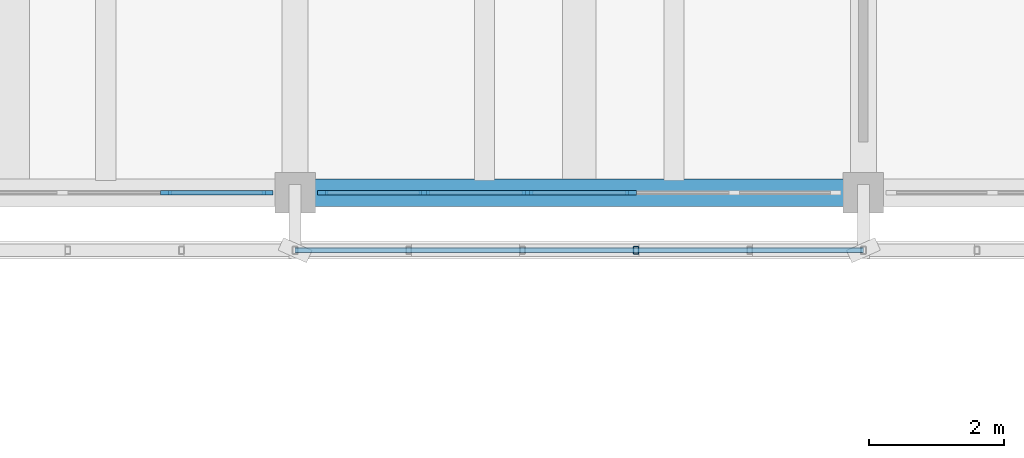
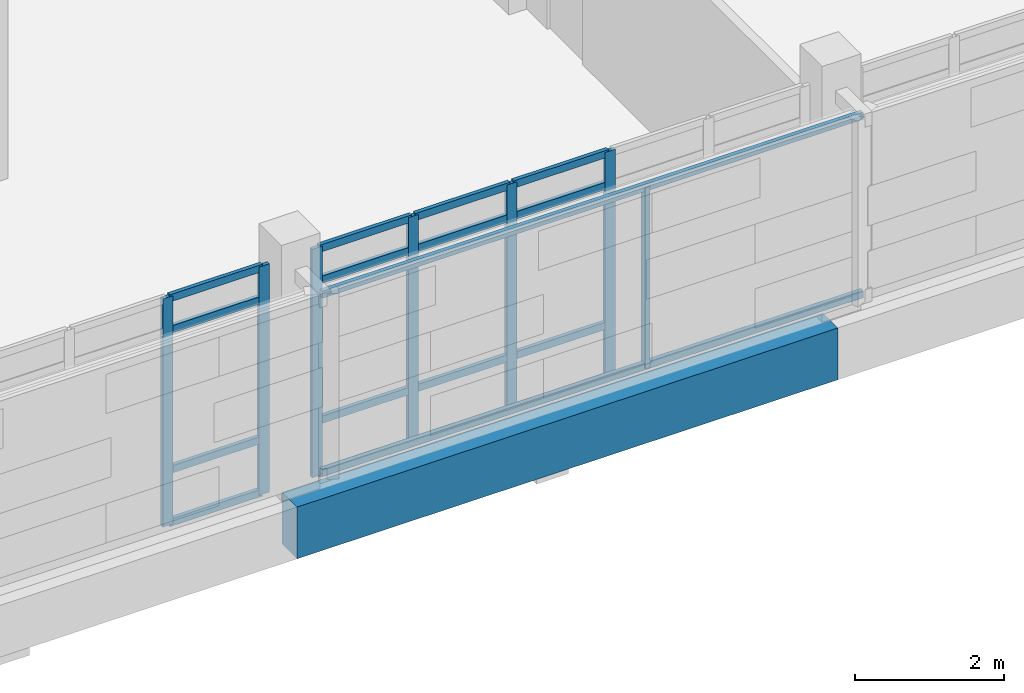
# One storey, part 44 of 137: 25 members, 1 beam, 2 elements without a shape of their own.
"""IFC4 building model written with IfcOpenShell, lengths in metres."""

from ifc_helpers import new_model, si_unit, direction, frame, origin, origin_2d, place, context, subcontext, project, spatial, rectangle, hollow_rectangle, extrude, material, material_profile, profile_set, type_object, element, aggregate, save


model = new_model("IFC4")

# Units and contexts
model_context = context("Model", 3, precision=1e-05, world=origin(), true_north=direction((0.0, 1.0)))
body_context = subcontext(model_context, "Body", "Model", "MODEL_VIEW")
ifc_project = project(units=[si_unit("LENGTHUNIT", "METRE"), si_unit("AREAUNIT", "SQUARE_METRE"), si_unit("VOLUMEUNIT", "CUBIC_METRE"), si_unit("PLANEANGLEUNIT", "RADIAN"), si_unit("MASSUNIT", "GRAM", prefix="KILO")], contexts=[model_context])

# Site, building, storey
site_placement = place(None, origin())
site = spatial("IfcSite", under=ifc_project, at=site_placement, CompositionType="ELEMENT")
building_placement = place(site_placement, origin())
building = spatial("IfcBuilding", under=site, at=building_placement, Name="Cinderway Yard Community Centre", CompositionType="ELEMENT")
storey_placement = place(building_placement, frame((0.0, 0.0, 4.800048828125)))
storey = spatial("IfcBuildingStorey", under=building, at=storey_placement, Name="L01", CompositionType="ELEMENT", Elevation=4.800048828125)

# Curtain wall, members
ifc_material_1 = material(Name="Aluminium 6063-T6", Category="aluminium")
curtain_wall_type = type_object("IfcCurtainWallType", Name="ENV-CW-TYPE-26", PredefinedType="USERDEFINED", material=ifc_material_1)
curtain_wall_1_placement = place(storey_placement, origin())
curtain_wall_1 = element("IfcCurtainWall", 1, at=curtain_wall_1_placement, inside=storey, type_object=curtain_wall_type, Name="V4 Courtyard Curtain Wall ENV-CW-L01-ST-0122", ObjectType="GLAZED CURTAIN WALL", PredefinedType="USERDEFINED")
ifc_material_profile_1 = material_profile(ifc_material_1, rectangle(XDim=0.06005859375, YDim=0.159912109375, at=origin_2d()), Name="Aluminium 6063-T6")
ifc_profile_set_1 = profile_set([ifc_material_profile_1], Name="Aluminium 6063-T6")
member_type_1 = type_object("IfcMemberType", Name="ENV-CW-MULL-150", PredefinedType="MULLION", material=ifc_profile_set_1)
member_1_placement = place(storey_placement, frame((48.092041015625, 90.0, 0.0), z_axis=(0.0, 0.0, 1.0), x_axis=(0.0, 1.0, 0.0)))
member_1 = element("IfcMember", 2, at=member_1_placement, type_object=member_type_1, Name="CW-26 mullion 5", PredefinedType="MULLION", context=body_context, shape_type="SweptSolid", body=[
    extrude(rectangle(XDim=0.06005859375, YDim=0.159912109375, at=origin_2d()), origin(), (0.0, 0.0, 1.0), 3.75),
])
member_2_placement = place(storey_placement, frame((49.590087890625, 90.0, 0.0), z_axis=(0.0, 0.0, 1.0), x_axis=(0.0, 1.0, 0.0)))
member_2 = element("IfcMember", 3, at=member_2_placement, type_object=member_type_1, Name="CW-26 mullion 6", PredefinedType="MULLION", context=body_context, shape_type="SweptSolid", body=[
    extrude(rectangle(XDim=0.06005859375, YDim=0.159912109375, at=origin_2d()), origin(), (0.0, 0.0, 1.0), 3.75),
])

curtain_wall_2_placement = place(storey_placement, origin())
curtain_wall_2 = element("IfcCurtainWall", 4, at=curtain_wall_2_placement, inside=storey, type_object=curtain_wall_type, Name="V4 Courtyard Curtain Wall ENV-CW-L01-ST-0124", ObjectType="GLAZED CURTAIN WALL", PredefinedType="USERDEFINED")
member_3_placement = place(storey_placement, frame((50.409912109375, 90.0, 0.0), z_axis=(0.0, 0.0, 1.0), x_axis=(0.0, 1.0, 0.0)))
member_3 = element("IfcMember", 5, at=member_3_placement, type_object=member_type_1, Name="CW-26 mullion 1", PredefinedType="MULLION", context=body_context, shape_type="SweptSolid", body=[
    extrude(rectangle(XDim=0.06005859375, YDim=0.159912109375, at=origin_2d()), origin(), (0.0, 0.0, 1.0), 3.75),
])
member_4_placement = place(storey_placement, frame((51.907958984375, 90.0, 0.0), z_axis=(0.0, 0.0, 1.0), x_axis=(0.0, 1.0, 0.0)))
member_4 = element("IfcMember", 6, at=member_4_placement, type_object=member_type_1, Name="CW-26 mullion 2", PredefinedType="MULLION", context=body_context, shape_type="SweptSolid", body=[
    extrude(rectangle(XDim=0.06005859375, YDim=0.159912109375, at=origin_2d()), origin(), (0.0, 0.0, 1.0), 3.75),
])
member_5_placement = place(storey_placement, frame((53.43603515625, 90.0, 0.0), z_axis=(0.0, 0.0, 1.0), x_axis=(0.0, 1.0, 0.0)))
member_5 = element("IfcMember", 7, at=member_5_placement, type_object=member_type_1, Name="CW-26 mullion 3", PredefinedType="MULLION", context=body_context, shape_type="SweptSolid", body=[
    extrude(rectangle(XDim=0.06005859375, YDim=0.159912109375, at=origin_2d()), origin(), (0.0, 0.0, 1.0), 3.75),
])
member_6_placement = place(storey_placement, frame((54.964111328125, 90.0, 0.0), z_axis=(0.0, 0.0, 1.0), x_axis=(0.0, 1.0, 0.0)))
member_6 = element("IfcMember", 8, at=member_6_placement, type_object=member_type_1, Name="CW-26 mullion 4", PredefinedType="MULLION", context=body_context, shape_type="SweptSolid", body=[
    extrude(rectangle(XDim=0.06005859375, YDim=0.159912109375, at=origin_2d()), origin(), (0.0, 0.0, 1.0), 3.75),
])

# Member
ifc_material_profile_2 = material_profile(ifc_material_1, rectangle(XDim=0.06005859375, YDim=0.1201171875, at=origin_2d()), Name="Aluminium 6063-T6")
ifc_profile_set_2 = profile_set([ifc_material_profile_2], Name="Aluminium 6063-T6")
member_type_2 = type_object("IfcMemberType", Name="ENV-CW-TRAN-110", PredefinedType="USERDEFINED", material=ifc_profile_set_2)
member_7_placement = place(storey_placement, frame((48.1220703125, 90.0, 0.030029296875), z_axis=(1.0, 0.0, 0.0), x_axis=(0.0, 1.0, 0.0)))
member_7 = element("IfcMember", 9, at=member_7_placement, type_object=member_type_2, Name="CW-26 transom 5.1", ObjectType="TRANSOM", PredefinedType="USERDEFINED", context=body_context, shape_type="SweptSolid", body=[
    extrude(rectangle(XDim=0.06005859375, YDim=0.1201171875, at=origin_2d()), origin(), (0.0, 0.0, 1.0), 1.43798828125),
])

member_8_placement = place(storey_placement, frame((48.1220703125, 90.0, 0.89990234375), z_axis=(1.0, 0.0, 0.0), x_axis=(0.0, 1.0, 0.0)))
member_8 = element("IfcMember", 10, at=member_8_placement, type_object=member_type_2, Name="CW-26 transom 5.2", ObjectType="TRANSOM", PredefinedType="USERDEFINED", context=body_context, shape_type="SweptSolid", body=[
    extrude(rectangle(XDim=0.06005859375, YDim=0.1201171875, at=origin_2d()), origin(), (0.0, 0.0, 1.0), 1.43798828125),
])

member_9_placement = place(storey_placement, frame((48.1220703125, 90.0, 3.199951171875), z_axis=(1.0, 0.0, 0.0), x_axis=(0.0, 1.0, 0.0)))
member_9 = element("IfcMember", 11, at=member_9_placement, type_object=member_type_2, Name="CW-26 transom 5.3", ObjectType="TRANSOM", PredefinedType="USERDEFINED", context=body_context, shape_type="SweptSolid", body=[
    extrude(rectangle(XDim=0.06005859375, YDim=0.1201171875, at=origin_2d()), origin(), (0.0, 0.0, 1.0), 1.43798828125),
])

member_10_placement = place(storey_placement, frame((48.1220703125, 90.0, 3.719970703125), z_axis=(1.0, 0.0, 0.0), x_axis=(0.0, 1.0, 0.0)))
member_10 = element("IfcMember", 12, at=member_10_placement, type_object=member_type_2, Name="CW-26 transom 5.4", ObjectType="TRANSOM", PredefinedType="USERDEFINED", context=body_context, shape_type="SweptSolid", body=[
    extrude(rectangle(XDim=0.06005859375, YDim=0.1201171875, at=origin_2d()), origin(), (0.0, 0.0, 1.0), 1.43798828125),
])

aggregate(curtain_wall_1, [member_1, member_2, member_7, member_8, member_9, member_10])

member_11_placement = place(storey_placement, frame((50.43994140625, 90.0, 0.030029296875), z_axis=(1.0, 0.0, 0.0), x_axis=(0.0, 1.0, 0.0)))
member_11 = element("IfcMember", 13, at=member_11_placement, type_object=member_type_2, Name="CW-26 transom 1.1", ObjectType="TRANSOM", PredefinedType="USERDEFINED", context=body_context, shape_type="SweptSolid", body=[
    extrude(rectangle(XDim=0.06005859375, YDim=0.1201171875, at=origin_2d()), origin(), (0.0, 0.0, 1.0), 1.43798828125),
])

member_12_placement = place(storey_placement, frame((50.43994140625, 90.0, 0.89990234375), z_axis=(1.0, 0.0, 0.0), x_axis=(0.0, 1.0, 0.0)))
member_12 = element("IfcMember", 14, at=member_12_placement, type_object=member_type_2, Name="CW-26 transom 1.2", ObjectType="TRANSOM", PredefinedType="USERDEFINED", context=body_context, shape_type="SweptSolid", body=[
    extrude(rectangle(XDim=0.06005859375, YDim=0.1201171875, at=origin_2d()), origin(), (0.0, 0.0, 1.0), 1.43798828125),
])

member_13_placement = place(storey_placement, frame((50.43994140625, 90.0, 3.199951171875), z_axis=(1.0, 0.0, 0.0), x_axis=(0.0, 1.0, 0.0)))
member_13 = element("IfcMember", 15, at=member_13_placement, type_object=member_type_2, Name="CW-26 transom 1.3", ObjectType="TRANSOM", PredefinedType="USERDEFINED", context=body_context, shape_type="SweptSolid", body=[
    extrude(rectangle(XDim=0.06005859375, YDim=0.1201171875, at=origin_2d()), origin(), (0.0, 0.0, 1.0), 1.43798828125),
])

member_14_placement = place(storey_placement, frame((50.43994140625, 90.0, 3.719970703125), z_axis=(1.0, 0.0, 0.0), x_axis=(0.0, 1.0, 0.0)))
member_14 = element("IfcMember", 16, at=member_14_placement, type_object=member_type_2, Name="CW-26 transom 1.4", ObjectType="TRANSOM", PredefinedType="USERDEFINED", context=body_context, shape_type="SweptSolid", body=[
    extrude(rectangle(XDim=0.06005859375, YDim=0.1201171875, at=origin_2d()), origin(), (0.0, 0.0, 1.0), 1.43798828125),
])

member_15_placement = place(storey_placement, frame((51.93798828125, 90.0, 0.030029296875), z_axis=(1.0, 0.0, 0.0), x_axis=(0.0, 1.0, 0.0)))
member_15 = element("IfcMember", 17, at=member_15_placement, type_object=member_type_2, Name="CW-26 transom 2.1", ObjectType="TRANSOM", PredefinedType="USERDEFINED", context=body_context, shape_type="SweptSolid", body=[
    extrude(rectangle(XDim=0.06005859375, YDim=0.1201171875, at=origin_2d()), origin(), (0.0, 0.0, 1.0), 1.468017578125),
])

member_16_placement = place(storey_placement, frame((51.93798828125, 90.0, 0.89990234375), z_axis=(1.0, 0.0, 0.0), x_axis=(0.0, 1.0, 0.0)))
member_16 = element("IfcMember", 18, at=member_16_placement, type_object=member_type_2, Name="CW-26 transom 2.2", ObjectType="TRANSOM", PredefinedType="USERDEFINED", context=body_context, shape_type="SweptSolid", body=[
    extrude(rectangle(XDim=0.06005859375, YDim=0.1201171875, at=origin_2d()), origin(), (0.0, 0.0, 1.0), 1.468017578125),
])

member_17_placement = place(storey_placement, frame((51.93798828125, 90.0, 3.199951171875), z_axis=(1.0, 0.0, 0.0), x_axis=(0.0, 1.0, 0.0)))
member_17 = element("IfcMember", 19, at=member_17_placement, type_object=member_type_2, Name="CW-26 transom 2.3", ObjectType="TRANSOM", PredefinedType="USERDEFINED", context=body_context, shape_type="SweptSolid", body=[
    extrude(rectangle(XDim=0.06005859375, YDim=0.1201171875, at=origin_2d()), origin(), (0.0, 0.0, 1.0), 1.468017578125),
])

member_18_placement = place(storey_placement, frame((51.93798828125, 90.0, 3.719970703125), z_axis=(1.0, 0.0, 0.0), x_axis=(0.0, 1.0, 0.0)))
member_18 = element("IfcMember", 20, at=member_18_placement, type_object=member_type_2, Name="CW-26 transom 2.4", ObjectType="TRANSOM", PredefinedType="USERDEFINED", context=body_context, shape_type="SweptSolid", body=[
    extrude(rectangle(XDim=0.06005859375, YDim=0.1201171875, at=origin_2d()), origin(), (0.0, 0.0, 1.0), 1.468017578125),
])

member_19_placement = place(storey_placement, frame((53.466064453125, 90.0, 0.030029296875), z_axis=(1.0, 0.0, 0.0), x_axis=(0.0, 1.0, 0.0)))
member_19 = element("IfcMember", 21, at=member_19_placement, type_object=member_type_2, Name="CW-26 transom 3.1", ObjectType="TRANSOM", PredefinedType="USERDEFINED", context=body_context, shape_type="SweptSolid", body=[
    extrude(rectangle(XDim=0.06005859375, YDim=0.1201171875, at=origin_2d()), origin(), (0.0, 0.0, 1.0), 1.468017578125),
])

member_20_placement = place(storey_placement, frame((53.466064453125, 90.0, 0.89990234375), z_axis=(1.0, 0.0, 0.0), x_axis=(0.0, 1.0, 0.0)))
member_20 = element("IfcMember", 22, at=member_20_placement, type_object=member_type_2, Name="CW-26 transom 3.2", ObjectType="TRANSOM", PredefinedType="USERDEFINED", context=body_context, shape_type="SweptSolid", body=[
    extrude(rectangle(XDim=0.06005859375, YDim=0.1201171875, at=origin_2d()), origin(), (0.0, 0.0, 1.0), 1.468017578125),
])

member_21_placement = place(storey_placement, frame((53.466064453125, 90.0, 3.199951171875), z_axis=(1.0, 0.0, 0.0), x_axis=(0.0, 1.0, 0.0)))
member_21 = element("IfcMember", 23, at=member_21_placement, type_object=member_type_2, Name="CW-26 transom 3.3", ObjectType="TRANSOM", PredefinedType="USERDEFINED", context=body_context, shape_type="SweptSolid", body=[
    extrude(rectangle(XDim=0.06005859375, YDim=0.1201171875, at=origin_2d()), origin(), (0.0, 0.0, 1.0), 1.468017578125),
])

member_22_placement = place(storey_placement, frame((53.466064453125, 90.0, 3.719970703125), z_axis=(1.0, 0.0, 0.0), x_axis=(0.0, 1.0, 0.0)))
member_22 = element("IfcMember", 24, at=member_22_placement, type_object=member_type_2, Name="CW-26 transom 3.4", ObjectType="TRANSOM", PredefinedType="USERDEFINED", context=body_context, shape_type="SweptSolid", body=[
    extrude(rectangle(XDim=0.06005859375, YDim=0.1201171875, at=origin_2d()), origin(), (0.0, 0.0, 1.0), 1.468017578125),
])

aggregate(curtain_wall_2, [member_3, member_4, member_5, member_6, member_11, member_12, member_13, member_14, member_15, member_16, member_17, member_18, member_19, member_20, member_21, member_22])

# Members
ifc_material_2 = material(Name="Steel S355", Category="steel")
ifc_material_profile_3 = material_profile(ifc_material_2, hollow_rectangle(XDim=0.080078125, YDim=0.1201171875, WallThickness=0.00634765625, InnerFilletRadius=0.00634765625, OuterFilletRadius=0.0126953125, at=origin_2d()), Name="Steel S355")
ifc_profile_set_3 = profile_set([ifc_material_profile_3], Name="Steel S355")
member_type_3 = type_object("IfcMemberType", Name="ENV-MEM-SCREEN-RAIL-120", PredefinedType="STRINGER", material=ifc_profile_set_3)
for number, where, z_axis, x_axis, name in (
    (25, (50.0, 89.14990234375, 0.7099609375), (1.0, 0.0, 0.0), (0.0, 1.0, 0.0), "Screen support rail 0326-BOT"),
    (26, (50.0, 89.14990234375, 3.639892578125), (1.0, 0.0, 0.0), (0.0, 1.0, 0.0), "Screen support rail 0327-TOP"),
):
    element("IfcMember", number, at=place(storey_placement, frame(where, z_axis=z_axis, x_axis=x_axis)), inside=storey, type_object=member_type_3, Name=name, PredefinedType="STRINGER", context=body_context, shape_type="SweptSolid", body=[
        extrude(hollow_rectangle(XDim=0.080078125, YDim=0.1201171875, WallThickness=0.00634765625, InnerFilletRadius=0.00634765625, OuterFilletRadius=0.0126953125, at=origin_2d()), origin(), (0.0, 0.0, 1.0), 8.39990234375),
    ])
member_23_placement = place(storey_placement, frame((55.0400390625, 89.14990234375, 0.68994140625), z_axis=(0.0, 0.0, 1.0), x_axis=(1.0, 0.0, 0.0)))
element("IfcMember", 27, at=member_23_placement, inside=storey, type_object=member_type_3, Name="Screen vertical mullion 0330", PredefinedType="STRINGER", context=body_context, shape_type="SweptSolid", body=[
    extrude(hollow_rectangle(XDim=0.080078125, YDim=0.1201171875, WallThickness=0.00634765625, InnerFilletRadius=0.00634765625, OuterFilletRadius=0.0126953125, at=origin_2d()), origin(), (0.0, 0.0, 1.0), 2.969970703125),
])

# Beam
ifc_material_3 = material(Name="Concrete C40/50", Category="concrete")
ifc_material_profile_4 = material_profile(ifc_material_3, rectangle(XDim=0.39990234375, YDim=0.85009765625, at=origin_2d()), Name="Concrete C40/50")
ifc_profile_set_4 = profile_set([ifc_material_profile_4], Name="Concrete C40/50")
beam_type = type_object("IfcBeamType", Name="STR-BM-RC400X850", PredefinedType="BEAM", material=ifc_profile_set_4)
beam_placement = place(storey_placement, frame((50.0, 90.0, -0.68505859375), z_axis=(1.0, 0.0, 0.0), x_axis=(0.0, 1.0, 0.0)))
element("IfcBeam", 28, at=beam_placement, inside=storey, type_object=beam_type, Name="Primary girder STR-BM-L01-BG04-0173", PredefinedType="BEAM", context=body_context, shape_type="SweptSolid", body=[
    extrude(rectangle(XDim=0.39990234375, YDim=0.85009765625, at=origin_2d()), origin(), (0.0, 0.0, 1.0), 8.39990234375),
])

save(model, "model.ifc")
